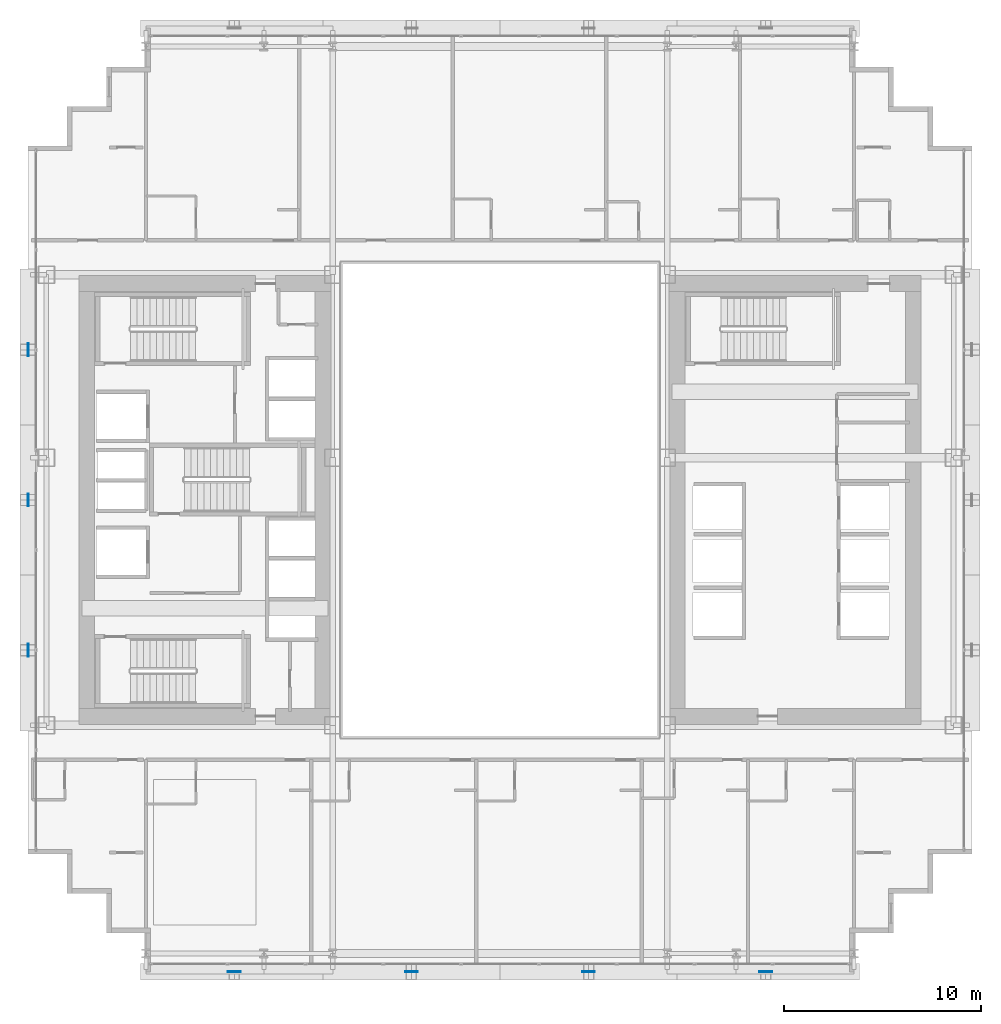
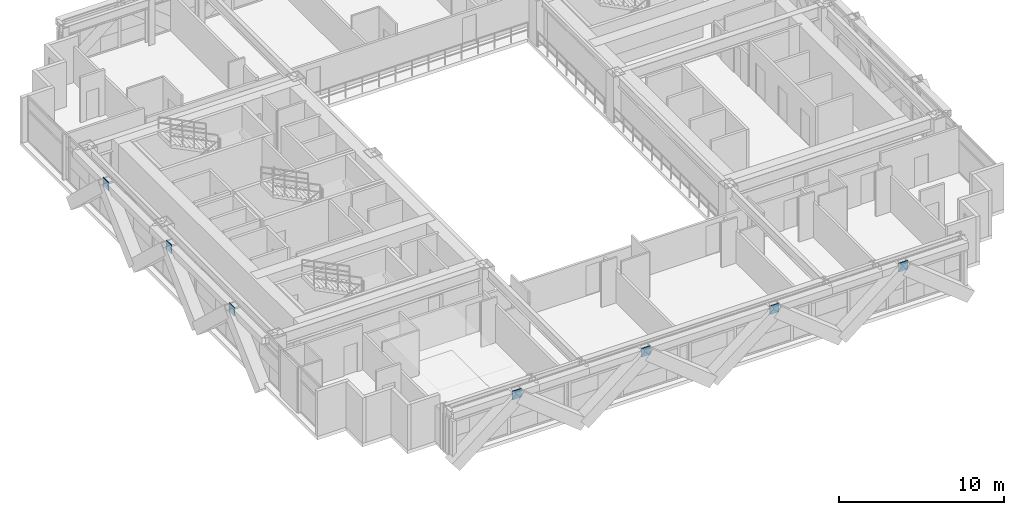
# One storey, part 25 of 35: 7 plates.
"""IFC4 building model written with IfcOpenShell, lengths in metres."""

from ifc_helpers import new_model, si_unit, direction, frame, origin, origin_2d, place, context, subcontext, project, spatial, rectangle, extrude, source, transform, mapped, material, layer, layer_set, type_object, element, save


model = new_model("IFC4")

# Units and contexts
model_context = context("Model", 3, precision=1e-05, world=origin(), true_north=direction((0.0, 1.0)))
body_context = subcontext(model_context, "Body", "Model", "MODEL_VIEW")
ifc_project = project(units=[si_unit("LENGTHUNIT", "METRE"), si_unit("AREAUNIT", "SQUARE_METRE"), si_unit("VOLUMEUNIT", "CUBIC_METRE"), si_unit("PLANEANGLEUNIT", "RADIAN"), si_unit("MASSUNIT", "GRAM", prefix="KILO")], contexts=[model_context])

# Site, building, storey
site_placement = place(None, origin())
site = spatial("IfcSite", under=ifc_project, at=site_placement, CompositionType="ELEMENT")
building_placement = place(site_placement, origin())
building = spatial("IfcBuilding", under=site, at=building_placement, Name="Ocotamira Hotel", CompositionType="ELEMENT")
storey_placement = place(building_placement, frame((0.0, 0.0, 63.60009765625)))
storey = spatial("IfcBuildingStorey", under=building, at=storey_placement, Name="L15", CompositionType="ELEMENT", Elevation=63.60009765625)

# Plates
ifc_material = material(Name="Pale-metal coated steel ASTM A572 Grade 50", Category="steel")
ifc_layer = layer(ifc_material, 0.0400390625)
ifc_layer_set = layer_set([ifc_layer], Name="Pale-metal coated steel ASTM A572 Grade 50")
plate_type = type_object("IfcPlateType", Name="PLT-GUSSET-40", PredefinedType="SHEET", material=ifc_layer_set)
shared_shape_1 = source(origin(), body_context, "Body", "SweptSolid", [
    extrude(rectangle(XDim=0.64990234375, YDim=0.0400390625, at=origin_2d()), origin(), (0.0, 0.0, 1.0), 0.64990234375),
])
for number, where, z_axis, x_axis, name in (
    (1, (18.5, 2.030029296875, 2.77490234375), (0.0, 0.0, 1.0), (1.0, 0.0, 0.0), "L15 Exoskeleton Diagrid S0.1 End Gusset B"),
    (2, (27.5, 2.030029296875, 2.77490234375), (0.0, 0.0, 1.0), (1.0, 0.0, 0.0), "L15 Exoskeleton Diagrid S1.1 End Gusset B"),
    (3, (36.5, 2.030029296875, 2.77490234375), (0.0, 0.0, 1.0), (1.0, 0.0, 0.0), "L15 Exoskeleton Diagrid S2.1 End Gusset B"),
    (4, (45.5, 2.030029296875, 2.77490234375), (0.0, 0.0, 1.0), (1.0, 0.0, 0.0), "L15 Exoskeleton Diagrid S3.1 End Gusset B"),
):
    element("IfcPlate", number, at=place(storey_placement, frame(where, z_axis=z_axis, x_axis=x_axis)), inside=storey, type_object=plate_type, Name=name, PredefinedType="SHEET", context=body_context, shape_type="MappedRepresentation", body=[
        mapped(shared_shape_1, transform((0.0, 0.0, 0.0), scale=1.0)),
    ])
shared_shape_2 = source(origin(), body_context, "Body", "SweptSolid", [
    extrude(rectangle(XDim=0.0400390625, YDim=0.64990234375, at=origin_2d()), origin(), (0.0, 0.0, 1.0), 0.64990234375),
])
for number, where, z_axis, x_axis, name in (
    (5, (8.030029296875, 18.36669921875, 2.77490234375), (0.0, 0.0, 1.0), (1.0, 0.0, 0.0), "L15 Exoskeleton Diagrid W0.1 End Gusset B"),
    (6, (8.030029296875, 26.0, 2.77490234375), (0.0, 0.0, 1.0), (1.0, 0.0, 0.0), "L15 Exoskeleton Diagrid W1.1 End Gusset B"),
    (7, (8.030029296875, 33.63330078125, 2.77490234375), (0.0, 0.0, 1.0), (1.0, 0.0, 0.0), "L15 Exoskeleton Diagrid W2.1 End Gusset B"),
):
    element("IfcPlate", number, at=place(storey_placement, frame(where, z_axis=z_axis, x_axis=x_axis)), inside=storey, type_object=plate_type, Name=name, PredefinedType="SHEET", context=body_context, shape_type="MappedRepresentation", body=[
        mapped(shared_shape_2, transform((0.0, 0.0, 0.0), scale=1.0)),
    ])

save(model, "model.ifc")
